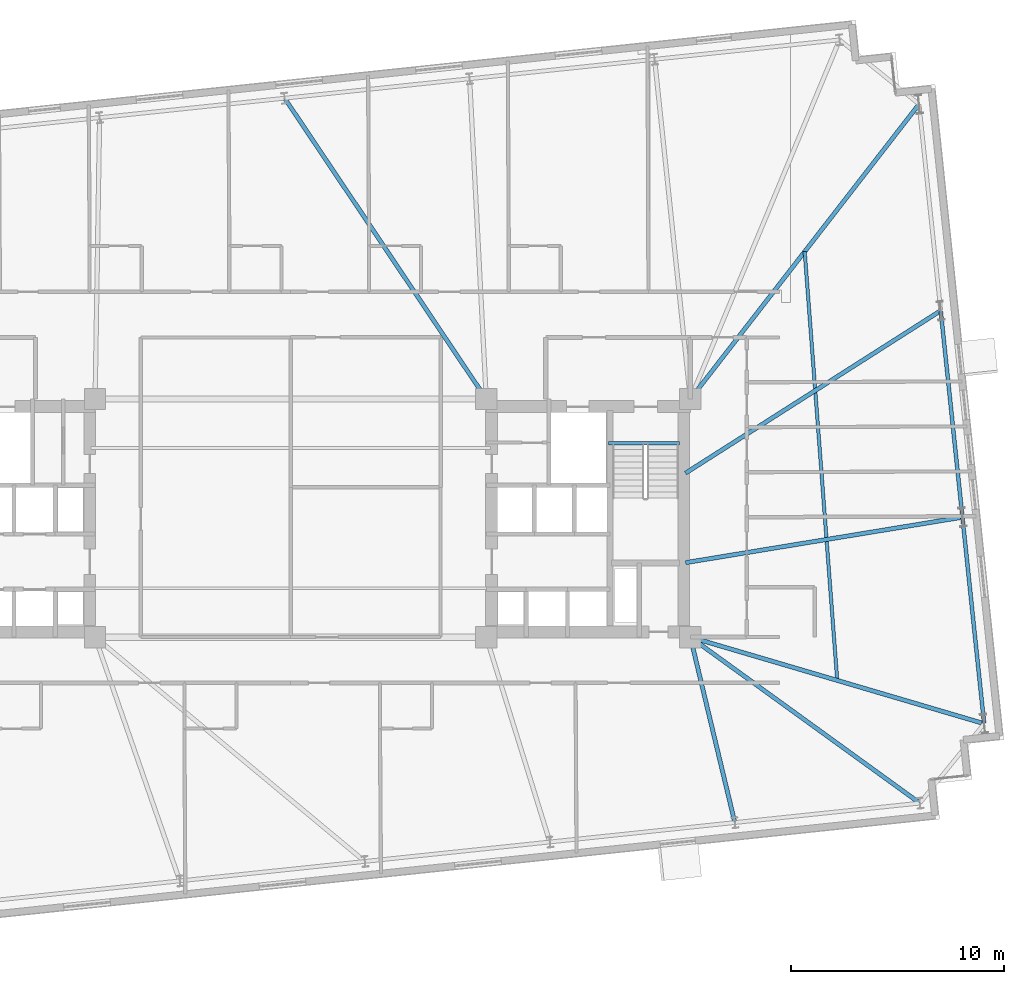
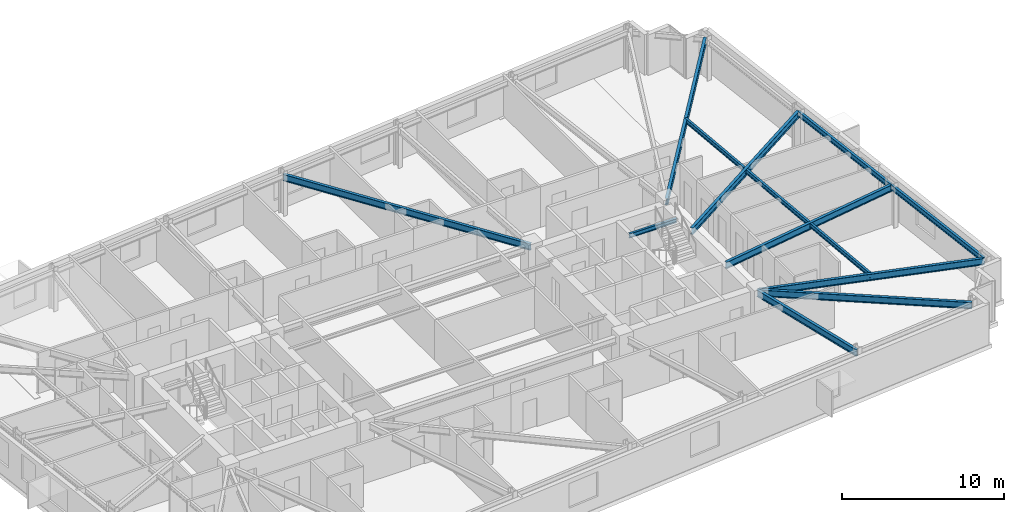
# One storey, part 7 of 20: 11 beams.
"""IFC4 building model written with IfcOpenShell, lengths in metres."""

from ifc_helpers import new_model, si_unit, direction, frame, origin, origin_2d, place, context, subcontext, project, spatial, i_section, extrude, material, material_profile, profile_set, type_object, element, save


model = new_model("IFC4")

# Units and contexts
model_context = context("Model", 3, precision=1e-05, world=origin(), true_north=direction((0.0, 1.0)))
body_context = subcontext(model_context, "Body", "Model", "MODEL_VIEW")
ifc_project = project(units=[si_unit("LENGTHUNIT", "METRE"), si_unit("AREAUNIT", "SQUARE_METRE"), si_unit("VOLUMEUNIT", "CUBIC_METRE"), si_unit("PLANEANGLEUNIT", "RADIAN"), si_unit("MASSUNIT", "GRAM", prefix="KILO")], contexts=[model_context])

# Site, building, storey
site_placement = place(None, origin())
site = spatial("IfcSite", under=ifc_project, at=site_placement, CompositionType="ELEMENT")
building_placement = place(site_placement, origin())
building = spatial("IfcBuilding", under=site, at=building_placement, Name="Qobustan Lattice House", CompositionType="ELEMENT")
storey_placement = place(building_placement, frame((0.0, 0.0, 89.050048828125)))
storey = spatial("IfcBuildingStorey", under=building, at=storey_placement, Name="L24", CompositionType="ELEMENT", Elevation=89.050048828125)

# Beams
ifc_material_1 = material(Name="Steel S355", Category="steel")
ifc_material_profile_1 = material_profile(ifc_material_1, i_section(OverallWidth=0.199951171875, OverallDepth=0.5, WebThickness=0.01025390625, FlangeThickness=0.01611328125, FilletRadius=0.02099609375, at=origin_2d()), Name="IPE500")
ifc_profile_set_1 = profile_set([ifc_material_profile_1], Name="Steel S355")
beam_type_1 = type_object("IfcBeamType", Name="BM-FLG-IPE500", PredefinedType="USERDEFINED", material=ifc_profile_set_1)
beam_1_placement = place(storey_placement, frame((20.885009765625, -14.297607421875, 2.794921875), z_axis=(-0.233107910855, 0.97245087377, 0.0), x_axis=(-0.97245087377, -0.233107910855, 0.0)))
element("IfcBeam", 1, at=beam_1_placement, inside=storey, type_object=beam_type_1, Name="L24 primary floor girder RAD-S6", ObjectType="GIRDER", PredefinedType="USERDEFINED", context=body_context, shape_type="SweptSolid", body=[
    extrude(i_section(OverallWidth=0.199951171875, OverallDepth=0.5, WebThickness=0.01025390625, FlangeThickness=0.01611328125, FilletRadius=0.02099609375, at=origin_2d()), origin(), (0.0, 0.0, 1.0), 8.9189453125),
])
beam_2_placement = place(storey_placement, frame((29.572509765625, -13.392578125, 2.794921875), z_axis=(-0.81023705091, 0.586102313024, 0.0), x_axis=(-0.586102313024, -0.81023705091, 0.0)))
element("IfcBeam", 2, at=beam_2_placement, inside=storey, type_object=beam_type_1, Name="L24 primary floor girder RAD-S7E", ObjectType="GIRDER", PredefinedType="USERDEFINED", context=body_context, shape_type="SweptSolid", body=[
    extrude(i_section(OverallWidth=0.199951171875, OverallDepth=0.5, WebThickness=0.01025390625, FlangeThickness=0.01611328125, FilletRadius=0.02099609375, at=origin_2d()), origin(), (0.0, 0.0, 1.0), 13.2705078125),
])
beam_3_placement = place(storey_placement, frame((-0.272705078125, 19.730224609375, 2.794921875), z_axis=(0.556837669082, -0.830621339896, 0.0), x_axis=(0.830621339896, 0.556837669082, 0.0)))
element("IfcBeam", 3, at=beam_3_placement, inside=storey, type_object=beam_type_1, Name="L24 primary floor girder RAD-N4", ObjectType="GIRDER", PredefinedType="USERDEFINED", context=body_context, shape_type="SweptSolid", body=[
    extrude(i_section(OverallWidth=0.199951171875, OverallDepth=0.5, WebThickness=0.01025390625, FlangeThickness=0.01611328125, FilletRadius=0.02099609375, at=origin_2d()), origin(), (0.0, 0.0, 1.0), 16.986572265625),
])
beam_4_placement = place(storey_placement, frame((29.541015625, 19.44921875, 2.794921875), z_axis=(-0.612860318028, -0.790191262029, 0.0), x_axis=(0.790191262029, -0.612860318028, 0.0)))
element("IfcBeam", 4, at=beam_4_placement, inside=storey, type_object=beam_type_1, Name="L24 primary floor girder RAD-E4", ObjectType="GIRDER", PredefinedType="USERDEFINED", context=body_context, shape_type="SweptSolid", body=[
    extrude(i_section(OverallWidth=0.199951171875, OverallDepth=0.5, WebThickness=0.01025390625, FlangeThickness=0.01611328125, FilletRadius=0.02099609375, at=origin_2d()), origin(), (0.0, 0.0, 1.0), 17.501220703125),
])
beam_5_placement = place(storey_placement, frame((30.555908203125, 9.742431640625, 2.794921875), z_axis=(-0.843584351199, -0.536996687525, 0.0), x_axis=(0.536996687525, -0.843584351199, 0.0)))
element("IfcBeam", 5, at=beam_5_placement, inside=storey, type_object=beam_type_1, Name="L24 primary floor girder RAD-E3", ObjectType="GIRDER", PredefinedType="USERDEFINED", context=body_context, shape_type="SweptSolid", body=[
    extrude(i_section(OverallWidth=0.199951171875, OverallDepth=0.5, WebThickness=0.01025390625, FlangeThickness=0.01611328125, FilletRadius=0.02099609375, at=origin_2d()), origin(), (0.0, 0.0, 1.0), 14.20703125),
])
beam_6_placement = place(storey_placement, frame((31.5732421875, 0.03857421875, 2.794921875), z_axis=(-0.986783828506, -0.162042203761, 0.0), x_axis=(0.162042203761, -0.986783828506, 0.0)))
element("IfcBeam", 6, at=beam_6_placement, inside=storey, type_object=beam_type_1, Name="L24 primary floor girder RAD-E2", ObjectType="GIRDER", PredefinedType="USERDEFINED", context=body_context, shape_type="SweptSolid", body=[
    extrude(i_section(OverallWidth=0.199951171875, OverallDepth=0.5, WebThickness=0.01025390625, FlangeThickness=0.01611328125, FilletRadius=0.02099609375, at=origin_2d()), origin(), (0.0, 0.0, 1.0), 13.172607421875),
])
beam_7_placement = place(storey_placement, frame((32.594970703125, -9.663330078125, 2.794921875), z_axis=(-0.959254941513, 0.282541956499, 0.0), x_axis=(-0.282541956499, -0.959254941513, 0.0)))
element("IfcBeam", 7, at=beam_7_placement, inside=storey, type_object=beam_type_1, Name="L24 primary floor girder RAD-E1", ObjectType="GIRDER", PredefinedType="USERDEFINED", context=body_context, shape_type="SweptSolid", body=[
    extrude(i_section(OverallWidth=0.199951171875, OverallDepth=0.5, WebThickness=0.01025390625, FlangeThickness=0.01611328125, FilletRadius=0.02099609375, at=origin_2d()), origin(), (0.0, 0.0, 1.0), 14.35595703125),
])
ifc_material_2 = material(Name="Steel S355", Category="steel")
ifc_material_profile_2 = material_profile(ifc_material_2, i_section(OverallWidth=0.159912109375, OverallDepth=0.330078125, WebThickness=0.007568359375, FlangeThickness=0.011474609375, FilletRadius=0.01806640625, at=origin_2d()), Name="IPE330")
ifc_profile_set_2 = profile_set([ifc_material_profile_2], Name="Steel S355")
beam_type_2 = type_object("IfcBeamType", Name="BM-SEC-IPE330", PredefinedType="BEAM", material=ifc_profile_set_2)
beam_8_placement = place(storey_placement, frame((24.177978515625, 12.534423828125, 2.8798828125), z_axis=(0.075712576466, -0.997129683524, 0.0), x_axis=(0.997129683524, 0.075712576466, 0.0)))
element("IfcBeam", 8, at=beam_8_placement, inside=storey, type_object=beam_type_2, Name="L24 east wing secondary beam", PredefinedType="BEAM", context=body_context, shape_type="SweptSolid", body=[
    extrude(i_section(OverallWidth=0.159912109375, OverallDepth=0.330078125, WebThickness=0.007568359375, FlangeThickness=0.011474609375, FilletRadius=0.01806640625, at=origin_2d()), origin(), (0.0, 0.0, 1.0), 20.227783203125),
])
ifc_material_3 = material(Name="Steel S355", Category="steel")
ifc_material_profile_3 = material_profile(ifc_material_3, i_section(OverallWidth=0.159912109375, OverallDepth=0.330078125, WebThickness=0.007568359375, FlangeThickness=0.011474609375, FilletRadius=0.01806640625, at=origin_2d()), Name="IPE330")
ifc_profile_set_3 = profile_set([ifc_material_profile_3], Name="Steel S355")
beam_type_3 = type_object("IfcBeamType", Name="BM-SPD-IPE330", PredefinedType="SPANDREL", material=ifc_profile_set_3)
beam_9_placement = place(storey_placement, frame((14.949951171875, 3.52001953125, 2.8798828125), z_axis=(1.0, 0.0, 0.0), x_axis=(0.0, 1.0, 0.0)))
element("IfcBeam", 9, at=beam_9_placement, inside=storey, type_object=beam_type_3, Name="L24 east stair landing trimmer beam", PredefinedType="SPANDREL", context=body_context, shape_type="SweptSolid", body=[
    extrude(i_section(OverallWidth=0.159912109375, OverallDepth=0.330078125, WebThickness=0.007568359375, FlangeThickness=0.011474609375, FilletRadius=0.01806640625, at=origin_2d()), origin(), (0.0, 0.0, 1.0), 3.35009765625),
])
ifc_material_4 = material(Name="Steel S355", Category="steel")
ifc_material_profile_4 = material_profile(ifc_material_4, i_section(OverallWidth=0.179931640625, OverallDepth=0.39990234375, WebThickness=0.008544921875, FlangeThickness=0.013427734375, FilletRadius=0.02099609375, at=origin_2d()), Name="IPE400")
ifc_profile_set_4 = profile_set([ifc_material_profile_4], Name="Steel S355")
beam_type_4 = type_object("IfcBeamType", Name="BM-SPD-IPE400", PredefinedType="SPANDREL", material=ifc_profile_set_4)
for number, where, z_axis, x_axis, name in (
    (10, (32.6162109375, -9.6455078125, 2.844970703125), (-0.104525214252, 0.994522236848, 0.0), (-0.994522236848, -0.104525214252, 0.0), "L24 perimeter spandrel E1-E2"),
    (11, (31.595458984375, 0.067626953125, 2.844970703125), (-0.10455006589, 0.994519624604, 0.0), (-0.994519624604, -0.10455006589, 0.0), "L24 perimeter spandrel E2-E3"),
):
    element("IfcBeam", number, at=place(storey_placement, frame(where, z_axis=z_axis, x_axis=x_axis)), inside=storey, type_object=beam_type_4, Name=name, PredefinedType="SPANDREL", context=body_context, shape_type="SweptSolid", body=[
        extrude(i_section(OverallWidth=0.179931640625, OverallDepth=0.39990234375, WebThickness=0.008544921875, FlangeThickness=0.013427734375, FilletRadius=0.02099609375, at=origin_2d()), origin(), (0.0, 0.0, 1.0), 9.716552734375),
    ])

save(model, "model.ifc")
